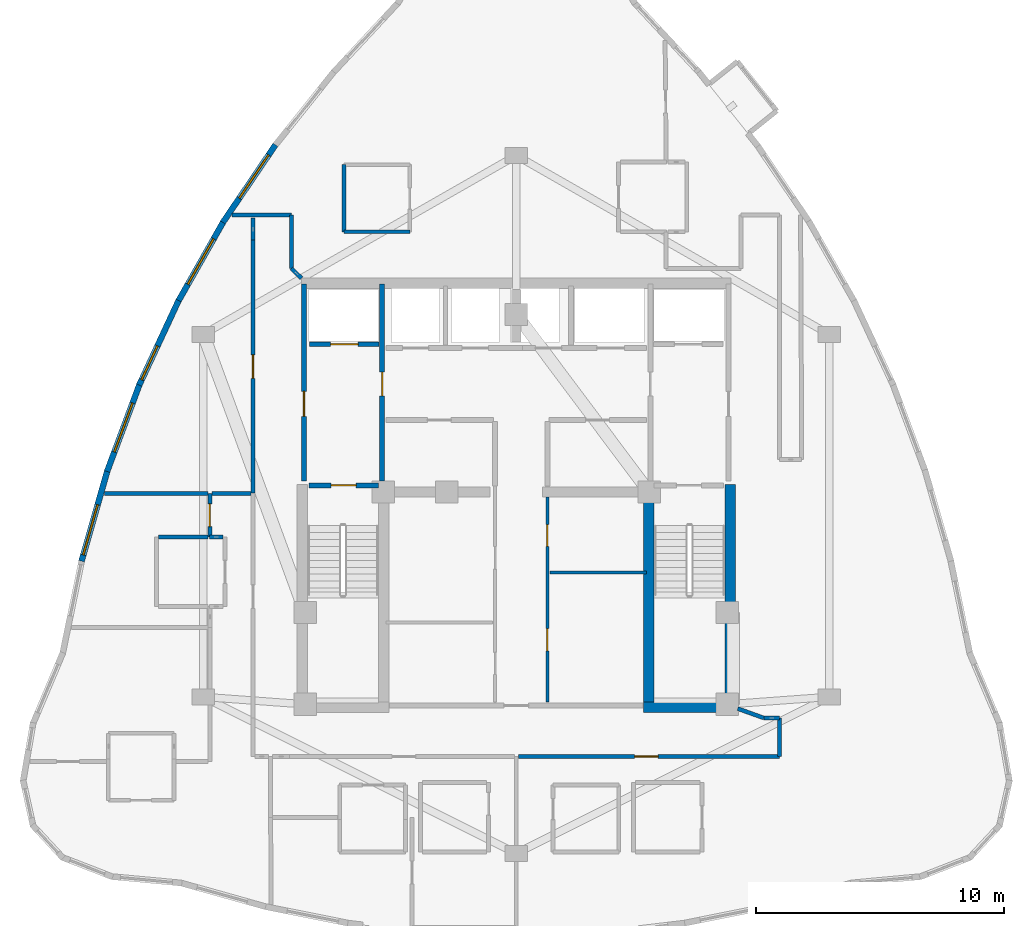
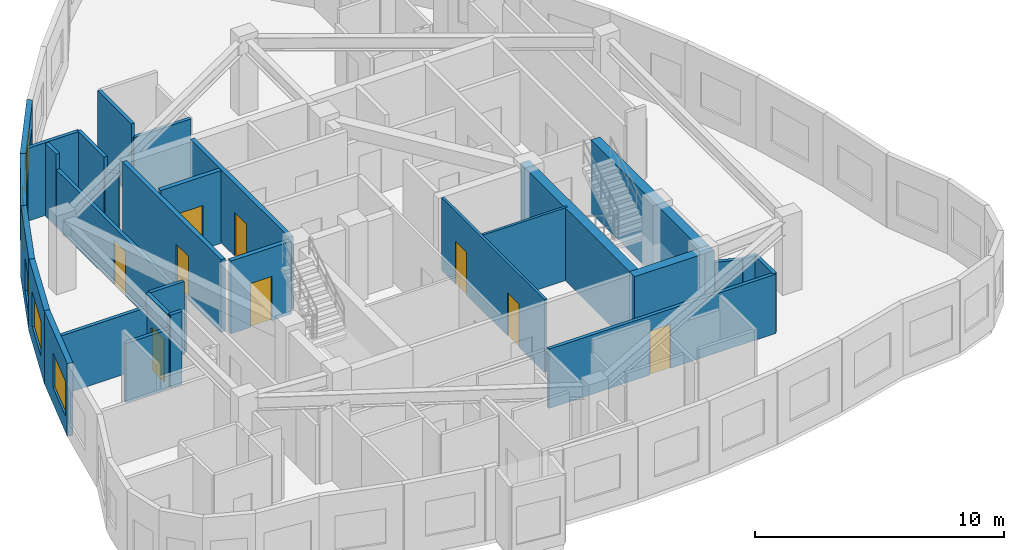
# One storey, part 9 of 13: 30 walls, 9 doors, 5 windows, 14 openings.
"""IFC4 building model written with IfcOpenShell, lengths in metres."""

from ifc_helpers import new_model, si_unit, direction, frame, frame_2d, origin, place, context, subcontext, project, spatial, rectangle, extrude, material, layer, layer_set, type_object, element, fill, save


model = new_model("IFC4")

# Units and contexts
model_context = context("Model", 3, precision=1e-05, world=origin(), true_north=direction((0.0, 1.0)))
body_context = subcontext(model_context, "Body", "Model", "MODEL_VIEW")
ifc_project = project(units=[si_unit("LENGTHUNIT", "METRE"), si_unit("AREAUNIT", "SQUARE_METRE"), si_unit("VOLUMEUNIT", "CUBIC_METRE"), si_unit("PLANEANGLEUNIT", "RADIAN"), si_unit("MASSUNIT", "GRAM", prefix="KILO")], contexts=[model_context])

# Site, building, storey
site_placement = place(None, origin())
site = spatial("IfcSite", under=ifc_project, at=site_placement, CompositionType="ELEMENT")
building_placement = place(site_placement, origin())
building = spatial("IfcBuilding", under=site, at=building_placement, Name="Miruveldt Soraemaru", CompositionType="ELEMENT")
storey_placement = place(building_placement, frame((0.0, 0.0, 259.699951171875)))
storey = spatial("IfcBuildingStorey", under=building, at=storey_placement, Name="L71", CompositionType="ELEMENT", Elevation=259.699951171875)

# Walls
ifc_material_1 = material(Name="Concrete C50/60 (50 MPa)", Category="concrete")
ifc_layer_1 = layer(ifc_material_1, 0.419921875, Name="Concrete C50/60 (50 MPa)", Category="concrete")
ifc_layer_set_1 = layer_set([ifc_layer_1], Name="Concrete C50/60 (50 MPa)")
wall_type_1 = type_object("IfcWallType", Name="WALL-CW-420", PredefinedType="SHEAR", material=ifc_layer_set_1)
wall_1_placement = place(storey_placement, frame((49.1298828125, 35.389892578125, 0.0), z_axis=(0.0, 0.0, 1.0), x_axis=(1.0, 0.0, 0.0)))
element("IfcWall", 1, at=wall_1_placement, inside=storey, type_object=wall_type_1, Name="L71 Central Core Shear Wall S2", PredefinedType="SHEAR", context=body_context, shape_type="SweptSolid", body=[
    extrude(rectangle(XDim=3.690185546875, YDim=0.419921875, at=frame_2d((1.84521484375, 0.0))), origin(), (0.0, 0.0, 1.0), 3.56494140625),
])
wall_2_placement = place(storey_placement, frame((52.610107421875, 35.179931640625, 0.0), z_axis=(0.0, 0.0, 1.0), x_axis=(0.0, 1.0, 0.0)))
element("IfcWall", 2, at=wall_2_placement, inside=storey, type_object=wall_type_1, Name="L71 Central Core Shear Wall E1", PredefinedType="SHEAR", context=body_context, shape_type="SweptSolid", body=[
    extrude(rectangle(XDim=9.170166015625, YDim=0.419921875, at=frame_2d((4.5849609375, 0.0))), origin(), (0.0, 0.0, 1.0), 3.56494140625),
])
wall_3_placement = place(storey_placement, frame((49.340087890625, 35.39990234375, 0.0), z_axis=(0.0, 0.0, 1.0), x_axis=(0.0, 1.0, 0.0)))
element("IfcWall", 3, at=wall_3_placement, inside=storey, type_object=wall_type_1, Name="L71 Central Core Shear Wall SE-INT", PredefinedType="SHEAR", context=body_context, shape_type="SweptSolid", body=[
    extrude(rectangle(XDim=8.9501953125, YDim=0.419921875, at=frame_2d((4.47509765625, 0.0))), origin(), (0.0, 0.0, 1.0), 3.56494140625),
])

# Wall, opening, window
ifc_material_2 = material(Name="Precast concrete C45/55 (45 MPa)", Category="concrete")
ifc_layer_2 = layer(ifc_material_2, 0.239990234375, Name="Precast concrete C45/55 (45 MPa)", Category="concrete")
ifc_layer_set_2 = layer_set([ifc_layer_2], Name="Precast concrete C45/55 (45 MPa)")
wall_type_2 = type_object("IfcWallType", Name="WALL-EXT-PC240", PredefinedType="SOLIDWALL", material=ifc_layer_set_2)
wall_4_placement = place(storey_placement, frame((34.304931640625, 58.03369140625, 0.0), z_axis=(0.0, 0.0, 1.0), x_axis=(-0.560812433684, -0.827942881016, 0.0)))
wall_4 = element("IfcWall", 4, at=wall_4_placement, inside=storey, type_object=wall_type_2, Name="L71 Precast Concrete Facade Wall 9", PredefinedType="SOLIDWALL", context=body_context, shape_type="SweptSolid", body=[
    extrude(rectangle(XDim=3.779052734375, YDim=0.239990234375, at=frame_2d((1.8896484375, 0.0))), origin(), (0.0, 0.0, 1.0), 3.56494140625),
])
opening_1_placement = place(wall_4_placement, frame((0.49609375, 0.0, 0.800048828125)))
opening_1 = element("IfcOpeningElement", 5, at=opening_1_placement, cuts=wall_4, Name="Opening WN-1", PredefinedType="OPENING", context=body_context, shape_type="SweptSolid", body=[
    extrude(rectangle(XDim=2.10009765625, YDim=1.699951171875, at=frame_2d((1.050048828125, 0.85009765625))), frame((0.0, 0.1298828125, 0.0), z_axis=(0.0, -1.0, 0.0), x_axis=(1.0, 0.0, 0.0)), (0.0, 0.0, 1.0), 0.260009765625),
])
ifc_material_3 = material(Name="Triple low-e insulated glazing", Category="glass")
window_type_1 = type_object("IfcWindowType", Name="WIN-PUNCH-2100x1700", PartitioningType="SINGLE_PANEL", PredefinedType="WINDOW", material=ifc_material_3)
window_1_placement = place(opening_1_placement, origin())
window_1 = element("IfcWindow", 6, at=window_1_placement, inside=storey, type_object=window_type_1, Name="L71 Punched Triple-Glazed Window 09.1", OverallHeight=1.699951171875, OverallWidth=2.10009765625, PartitioningType="SINGLE_PANEL", PredefinedType="WINDOW", context=body_context, shape_type="SweptSolid", body=[
    extrude(rectangle(XDim=2.10009765625, YDim=1.699951171875, at=frame_2d((1.050048828125, 0.85009765625))), frame((0.0, 0.030029296875, 0.0), z_axis=(0.0, -1.0, 0.0), x_axis=(1.0, 0.0, 0.0)), (0.0, 0.0, 1.0), 0.06005859375),
])
fill(opening_1, window_1)

wall_5_placement = place(storey_placement, frame((32.222412109375, 54.964111328125, 0.0), z_axis=(0.0, 0.0, 1.0), x_axis=(-0.493356990669, -0.869826925174, 0.0)))
wall_5 = element("IfcWall", 7, at=wall_5_placement, inside=storey, type_object=wall_type_2, Name="L71 Precast Concrete Facade Wall 10", PredefinedType="SOLIDWALL", context=body_context, shape_type="SweptSolid", body=[
    extrude(rectangle(XDim=3.75537109375, YDim=0.239990234375, at=frame_2d((1.877685546875, 0.0))), origin(), (0.0, 0.0, 1.0), 3.56494140625),
])
opening_2_placement = place(wall_5_placement, frame((0.827880859375, 0.0, 0.800048828125)))
opening_2 = element("IfcOpeningElement", 8, at=opening_2_placement, cuts=wall_5, Name="Opening WN-1", PredefinedType="OPENING", context=body_context, shape_type="SweptSolid", body=[
    extrude(rectangle(XDim=2.10009765625, YDim=1.699951171875, at=frame_2d((1.050048828125, 0.85009765625))), frame((0.0, 0.1298828125, 0.0), z_axis=(0.0, -1.0, 0.0), x_axis=(1.0, 0.0, 0.0)), (0.0, 0.0, 1.0), 0.260009765625),
])
window_2_placement = place(opening_2_placement, origin())
window_2 = element("IfcWindow", 9, at=window_2_placement, inside=storey, type_object=window_type_1, Name="L71 Punched Triple-Glazed Window 10.1", OverallHeight=1.699951171875, OverallWidth=2.10009765625, PartitioningType="SINGLE_PANEL", PredefinedType="WINDOW", context=body_context, shape_type="SweptSolid", body=[
    extrude(rectangle(XDim=2.10009765625, YDim=1.699951171875, at=frame_2d((1.050048828125, 0.85009765625))), frame((0.0, 0.030029296875, 0.0), z_axis=(0.0, -1.0, 0.0), x_axis=(1.0, 0.0, 0.0)), (0.0, 0.0, 1.0), 0.06005859375),
])
fill(opening_2, window_2)

wall_6_placement = place(storey_placement, frame((30.401611328125, 51.759521484375, 0.0), z_axis=(0.0, 0.0, 1.0), x_axis=(-0.422287495825, -0.906461952246, 0.0)))
wall_6 = element("IfcWall", 10, at=wall_6_placement, inside=storey, type_object=wall_type_2, Name="L71 Precast Concrete Facade Wall 11", PredefinedType="SOLIDWALL", context=body_context, shape_type="SweptSolid", body=[
    extrude(rectangle(XDim=3.755615234375, YDim=0.239990234375, at=frame_2d((1.8779296875, 0.0))), origin(), (0.0, 0.0, 1.0), 3.56494140625),
])
opening_3_placement = place(wall_6_placement, frame((2.01806640625, 0.0, 0.800048828125)))
opening_3 = element("IfcOpeningElement", 11, at=opening_3_placement, cuts=wall_6, Name="Opening WN-3", PredefinedType="OPENING", context=body_context, shape_type="SweptSolid", body=[
    extrude(rectangle(XDim=1.5, YDim=1.60009765625, at=frame_2d((0.75, 0.800048828125))), frame((0.0, 0.1298828125, 0.0), z_axis=(0.0, -1.0, 0.0), x_axis=(1.0, 0.0, 0.0)), (0.0, 0.0, 1.0), 0.260009765625),
])
window_type_2 = type_object("IfcWindowType", Name="WIN-PUNCH-1500x1600", PartitioningType="SINGLE_PANEL", PredefinedType="WINDOW", material=ifc_material_3)
window_3_placement = place(opening_3_placement, origin())
window_3 = element("IfcWindow", 12, at=window_3_placement, inside=storey, type_object=window_type_2, Name="L71 Punched Triple-Glazed Window 11.1", OverallHeight=1.60009765625, OverallWidth=1.5, PartitioningType="SINGLE_PANEL", PredefinedType="WINDOW", context=body_context, shape_type="SweptSolid", body=[
    extrude(rectangle(XDim=1.5, YDim=1.60009765625, at=frame_2d((0.75, 0.800048828125))), frame((0.0, 0.030029296875, 0.0), z_axis=(0.0, -1.0, 0.0), x_axis=(1.0, 0.0, 0.0)), (0.0, 0.0, 1.0), 0.06005859375),
])
fill(opening_3, window_3)

wall_7_placement = place(storey_placement, frame((28.842529296875, 48.419921875, 0.0), z_axis=(0.0, 0.0, 1.0), x_axis=(-0.348984438281, -0.937128519381, 0.0)))
wall_7 = element("IfcWall", 13, at=wall_7_placement, inside=storey, type_object=wall_type_2, Name="L71 Precast Concrete Facade Wall 12", PredefinedType="SOLIDWALL", context=body_context, shape_type="SweptSolid", body=[
    extrude(rectangle(XDim=3.779052734375, YDim=0.239990234375, at=frame_2d((1.8896484375, 0.0))), origin(), (0.0, 0.0, 1.0), 3.56494140625),
])
opening_4_placement = place(wall_7_placement, frame((0.840087890625, 0.0, 0.800048828125)))
opening_4 = element("IfcOpeningElement", 14, at=opening_4_placement, cuts=wall_7, Name="Opening WN-1", PredefinedType="OPENING", context=body_context, shape_type="SweptSolid", body=[
    extrude(rectangle(XDim=2.10009765625, YDim=1.699951171875, at=frame_2d((1.050048828125, 0.85009765625))), frame((0.0, 0.1298828125, 0.0), z_axis=(0.0, -1.0, 0.0), x_axis=(1.0, 0.0, 0.0)), (0.0, 0.0, 1.0), 0.260009765625),
])
window_4_placement = place(opening_4_placement, origin())
window_4 = element("IfcWindow", 15, at=window_4_placement, inside=storey, type_object=window_type_1, Name="L71 Punched Triple-Glazed Window 12.1", OverallHeight=1.699951171875, OverallWidth=2.10009765625, PartitioningType="SINGLE_PANEL", PredefinedType="WINDOW", context=body_context, shape_type="SweptSolid", body=[
    extrude(rectangle(XDim=2.10009765625, YDim=1.699951171875, at=frame_2d((1.050048828125, 0.85009765625))), frame((0.0, 0.030029296875, 0.0), z_axis=(0.0, -1.0, 0.0), x_axis=(1.0, 0.0, 0.0)), (0.0, 0.0, 1.0), 0.06005859375),
])
fill(opening_4, window_4)

wall_8_placement = place(storey_placement, frame((27.54541015625, 44.94482421875, 0.0), z_axis=(0.0, 0.0, 1.0), x_axis=(-0.274982401426, -0.961449259663, 0.0)))
wall_8 = element("IfcWall", 16, at=wall_8_placement, inside=storey, type_object=wall_type_2, Name="L71 Precast Concrete Facade Wall 13", PredefinedType="SOLIDWALL", context=body_context, shape_type="SweptSolid", body=[
    extrude(rectangle(XDim=3.82568359375, YDim=0.239990234375, at=frame_2d((1.912841796875, 0.0))), origin(), (0.0, 0.0, 1.0), 3.56494140625),
])
opening_5_placement = place(wall_8_placement, frame((1.462890625, 0.0, 0.800048828125)))
opening_5 = element("IfcOpeningElement", 17, at=opening_5_placement, cuts=wall_8, Name="Opening WN-1", PredefinedType="OPENING", context=body_context, shape_type="SweptSolid", body=[
    extrude(rectangle(XDim=2.10009765625, YDim=1.699951171875, at=frame_2d((1.050048828125, 0.85009765625))), frame((0.0, 0.1298828125, 0.0), z_axis=(0.0, -1.0, 0.0), x_axis=(1.0, 0.0, 0.0)), (0.0, 0.0, 1.0), 0.260009765625),
])
window_5_placement = place(opening_5_placement, origin())
window_5 = element("IfcWindow", 18, at=window_5_placement, inside=storey, type_object=window_type_1, Name="L71 Punched Triple-Glazed Window 13.1", OverallHeight=1.699951171875, OverallWidth=2.10009765625, PartitioningType="SINGLE_PANEL", PredefinedType="WINDOW", context=body_context, shape_type="SweptSolid", body=[
    extrude(rectangle(XDim=2.10009765625, YDim=1.699951171875, at=frame_2d((1.050048828125, 0.85009765625))), frame((0.0, 0.030029296875, 0.0), z_axis=(0.0, -1.0, 0.0), x_axis=(1.0, 0.0, 0.0)), (0.0, 0.0, 1.0), 0.06005859375),
])
fill(opening_5, window_5)

# Wall, openings, doors
ifc_material_4 = material(Name="Gypsum plasterboard lining", Category="gypsum")
ifc_layer_3 = layer(ifc_material_4, 0.1201171875, Name="Gypsum plasterboard lining", Category="gypsum")
ifc_layer_set_3 = layer_set([ifc_layer_3], Name="Gypsum plasterboard lining")
wall_type_3 = type_object("IfcWallType", Name="WALL-INT-P120", PredefinedType="PARTITIONING", material=ifc_layer_set_3)
wall_9_placement = place(storey_placement, frame((45.25, 35.60009765625, 0.0), z_axis=(0.0, 0.0, 1.0), x_axis=(0.0, 1.0, 0.0)))
wall_9 = element("IfcWall", 19, at=wall_9_placement, inside=storey, type_object=wall_type_3, Name="L71 Core Compartment Wall SP-EL", PredefinedType="PARTITIONING", context=body_context, shape_type="SweptSolid", body=[
    extrude(rectangle(XDim=8.25, YDim=0.1201171875, at=frame_2d((4.125, 0.0))), origin(), (0.0, 0.0, 1.0), 3.56494140625),
])
opening_6_placement = place(wall_9_placement, frame((2.050048828125, 0.0, 0.0)))
opening_6 = element("IfcOpeningElement", 20, at=opening_6_placement, cuts=wall_9, Name="Opening D3", PredefinedType="OPENING", context=body_context, shape_type="SweptSolid", body=[
    extrude(rectangle(XDim=0.89990234375, YDim=2.10009765625, at=frame_2d((0.449951171875, 1.050048828125))), frame((0.0, 0.070068359375, 0.0), z_axis=(0.0, -1.0, 0.0), x_axis=(1.0, 0.0, 0.0)), (0.0, 0.0, 1.0), 0.14013671875),
])
opening_7_placement = place(wall_9_placement, frame((6.260009765625, 0.0, 0.0)))
opening_7 = element("IfcOpeningElement", 21, at=opening_7_placement, cuts=wall_9, Name="Opening D4", PredefinedType="OPENING", context=body_context, shape_type="SweptSolid", body=[
    extrude(rectangle(XDim=0.8798828125, YDim=2.10009765625, at=frame_2d((0.43994140625, 1.050048828125))), frame((0.0, 0.070068359375, 0.0), z_axis=(0.0, -1.0, 0.0), x_axis=(1.0, 0.0, 0.0)), (0.0, 0.0, 1.0), 0.14013671875),
])
ifc_material_5 = material(Name="Anodised aluminium EN AW-6063 T6", Category="aluminium")
door_type_1 = type_object("IfcDoorType", Name="DOOR-INT-880", OperationType="NOTDEFINED", PredefinedType="DOOR", material=ifc_material_5)
door_1_placement = place(opening_7_placement, origin())
door_1 = element("IfcDoor", 22, at=door_1_placement, inside=storey, type_object=door_type_1, Name="L71 Fire Door", OperationType="SINGLE_SWING_LEFT", OverallHeight=2.10009765625, OverallWidth=0.8798828125, PredefinedType="DOOR", context=body_context, shape_type="SweptSolid", body=[
    extrude(rectangle(XDim=0.8798828125, YDim=2.10009765625, at=frame_2d((0.43994140625, 1.050048828125))), frame((0.0, 0.02490234375, 0.0), z_axis=(0.0, -1.0, 0.0), x_axis=(1.0, 0.0, 0.0)), (0.0, 0.0, 1.0), 0.050048828125),
])
fill(opening_7, door_1)
door_type_2 = type_object("IfcDoorType", Name="DOOR-INT-900", OperationType="NOTDEFINED", PredefinedType="DOOR", material=ifc_material_5)
door_2_placement = place(opening_6_placement, origin())
door_2 = element("IfcDoor", 23, at=door_2_placement, inside=storey, type_object=door_type_2, Name="L71 Fire Door", OperationType="SINGLE_SWING_LEFT", OverallHeight=2.10009765625, OverallWidth=0.89990234375, PredefinedType="DOOR", context=body_context, shape_type="SweptSolid", body=[
    extrude(rectangle(XDim=0.89990234375, YDim=2.10009765625, at=frame_2d((0.449951171875, 1.050048828125))), frame((0.0, 0.02490234375, 0.0), z_axis=(0.0, -1.0, 0.0), x_axis=(1.0, 0.0, 0.0)), (0.0, 0.0, 1.0), 0.050048828125),
])
fill(opening_6, door_2)

# Walls
wall_10_placement = place(storey_placement, frame((45.35009765625, 40.800048828125, 0.0), z_axis=(0.0, 0.0, 1.0), x_axis=(1.0, 0.0, 0.0)))
element("IfcWall", 24, at=wall_10_placement, inside=storey, type_object=wall_type_3, Name="L71 Core Compartment Wall RL-E2H", PredefinedType="PARTITIONING", context=body_context, shape_type="SweptSolid", body=[
    extrude(rectangle(XDim=3.89990234375, YDim=0.1201171875, at=frame_2d((1.949951171875, 0.0))), origin(), (0.0, 0.0, 1.0), 3.56494140625),
])
ifc_layer_4 = layer(ifc_material_4, 0.14990234375, Name="Gypsum plasterboard lining", Category="gypsum")
ifc_layer_set_4 = layer_set([ifc_layer_4], Name="Gypsum plasterboard lining")
wall_type_4 = type_object("IfcWallType", Name="WALL-INT-PLUMB", PredefinedType="PLUMBINGWALL", material=ifc_layer_set_4)
wall_11_placement = place(storey_placement, frame((37.06591796875, 57.22998046875, 0.0), z_axis=(0.0, 0.0, 1.0), x_axis=(0.0, -1.0, 0.0)))
element("IfcWall", 25, at=wall_11_placement, inside=storey, type_object=wall_type_4, Name="L71 Partition Wall 15", PredefinedType="PLUMBINGWALL", context=body_context, shape_type="SweptSolid", body=[
    extrude(rectangle(XDim=2.699951171875, YDim=0.14990234375, at=frame_2d((1.35009765625, 0.0))), origin(), (0.0, 0.0, 1.0), 3.56494140625),
])
wall_12_placement = place(storey_placement, frame((37.06591796875, 54.530029296875, 0.0), z_axis=(0.0, 0.0, 1.0), x_axis=(1.0, 0.0, 0.0)))
element("IfcWall", 26, at=wall_12_placement, inside=storey, type_object=wall_type_4, Name="L71 Partition Wall 16", PredefinedType="PLUMBINGWALL", context=body_context, shape_type="SweptSolid", body=[
    extrude(rectangle(XDim=2.650146484375, YDim=0.14990234375, at=frame_2d((1.3251953125, 0.0))), origin(), (0.0, 0.0, 1.0), 2.903076171875),
])

# Wall, opening, door
ifc_material_6 = material(Name="Concrete C40/50 (40 MPa)", Category="concrete")
ifc_layer_5 = layer(ifc_material_6, 0.159912109375, Name="Concrete C40/50 (40 MPa)", Category="concrete")
ifc_layer_set_5 = layer_set([ifc_layer_5], Name="Concrete C40/50 (40 MPa)")
wall_type_5 = type_object("IfcWallType", Name="WALL-INT-RC160", PredefinedType="SOLIDWALL", material=ifc_layer_set_5)
wall_13_placement = place(storey_placement, frame((44.0869140625, 33.39990234375, 0.0), z_axis=(0.0, 0.0, 1.0), x_axis=(1.0, 0.0, 0.0)))
wall_13 = element("IfcWall", 27, at=wall_13_placement, inside=storey, type_object=wall_type_5, Name="L71 Partition Wall 10", PredefinedType="SOLIDWALL", context=body_context, shape_type="SweptSolid", body=[
    extrude(rectangle(XDim=10.51318359375, YDim=0.159912109375, at=frame_2d((5.256591796875, 0.0))), origin(), (0.0, 0.0, 1.0), 2.903076171875),
])
opening_8_placement = place(wall_13_placement, frame((4.677978515625, 0.0, 0.0)))
opening_8 = element("IfcOpeningElement", 28, at=opening_8_placement, cuts=wall_13, Name="Opening FD2", PredefinedType="OPENING", context=body_context, shape_type="SweptSolid", body=[
    extrude(rectangle(XDim=0.949951171875, YDim=2.14990234375, at=frame_2d((0.47509765625, 1.074951171875))), frame((0.0, 0.08984375, 0.0), z_axis=(0.0, -1.0, 0.0), x_axis=(1.0, 0.0, 0.0)), (0.0, 0.0, 1.0), 0.179931640625),
])
door_type_3 = type_object("IfcDoorType", Name="DOOR-FD2-950", OperationType="NOTDEFINED", PredefinedType="DOOR", material=ifc_material_5)
door_3_placement = place(opening_8_placement, origin())
door_3 = element("IfcDoor", 29, at=door_3_placement, inside=storey, type_object=door_type_3, Name="L71 Unit 7104 Entrance Fire Door", OperationType="SINGLE_SWING_RIGHT", OverallHeight=2.14990234375, OverallWidth=0.949951171875, PredefinedType="DOOR", context=body_context, shape_type="SweptSolid", body=[
    extrude(rectangle(XDim=0.949951171875, YDim=2.14990234375, at=frame_2d((0.47509765625, 1.074951171875))), frame((0.0, 0.02490234375, 0.0), z_axis=(0.0, -1.0, 0.0), x_axis=(1.0, 0.0, 0.0)), (0.0, 0.0, 1.0), 0.050048828125),
])
fill(opening_8, door_3)

wall_14_placement = place(storey_placement, frame((33.39990234375, 54.199951171875, 0.0), z_axis=(0.0, 0.0, 1.0), x_axis=(0.0, -1.0, 0.0)))
wall_14 = element("IfcWall", 30, at=wall_14_placement, inside=storey, type_object=wall_type_5, Name="L71 Partition Wall 4", PredefinedType="SOLIDWALL", context=body_context, shape_type="SweptSolid", body=[
    extrude(rectangle(XDim=10.195068359375, YDim=0.159912109375, at=frame_2d((5.09765625, 0.0))), origin(), (0.0, 0.0, 1.0), 2.802978515625),
])
opening_9_placement = place(wall_14_placement, frame((4.623046875, 0.0, 0.0)))
opening_9 = element("IfcOpeningElement", 31, at=opening_9_placement, cuts=wall_14, Name="Opening FD2", PredefinedType="OPENING", context=body_context, shape_type="SweptSolid", body=[
    extrude(rectangle(XDim=0.949951171875, YDim=2.14990234375, at=frame_2d((0.47509765625, 1.074951171875))), frame((0.0, 0.08984375, 0.0), z_axis=(0.0, -1.0, 0.0), x_axis=(1.0, 0.0, 0.0)), (0.0, 0.0, 1.0), 0.179931640625),
])
door_4_placement = place(opening_9_placement, origin())
door_4 = element("IfcDoor", 32, at=door_4_placement, inside=storey, type_object=door_type_3, Name="L71 Unit 7101 Entrance Fire Door", OperationType="SINGLE_SWING_LEFT", OverallHeight=2.14990234375, OverallWidth=0.949951171875, PredefinedType="DOOR", context=body_context, shape_type="SweptSolid", body=[
    extrude(rectangle(XDim=0.949951171875, YDim=2.14990234375, at=frame_2d((0.47509765625, 1.074951171875))), frame((0.0, 0.02490234375, 0.0), z_axis=(0.0, -1.0, 0.0), x_axis=(1.0, 0.0, 0.0)), (0.0, 0.0, 1.0), 0.050048828125),
])
fill(opening_9, door_4)

wall_15_placement = place(storey_placement, frame((31.662109375, 44.0, 0.0), z_axis=(0.0, 0.0, 1.0), x_axis=(0.0, -1.0, 0.0)))
wall_15 = element("IfcWall", 33, at=wall_15_placement, inside=storey, type_object=wall_type_5, Name="L71 Partition Wall 36", PredefinedType="SOLIDWALL", context=body_context, shape_type="SweptSolid", body=[
    extrude(rectangle(XDim=1.764892578125, YDim=0.159912109375, at=frame_2d((0.88232421875, 0.0))), origin(), (0.0, 0.0, 1.0), 3.56494140625),
])
opening_10_placement = place(wall_15_placement, frame((0.423095703125, 0.0, 0.0)))
opening_10 = element("IfcOpeningElement", 34, at=opening_10_placement, cuts=wall_15, Name="Opening D3A", PredefinedType="OPENING", context=body_context, shape_type="SweptSolid", body=[
    extrude(rectangle(XDim=0.919921875, YDim=2.10009765625, at=frame_2d((0.4599609375, 1.050048828125))), frame((0.0, 0.08984375, 0.0), z_axis=(0.0, -1.0, 0.0), x_axis=(1.0, 0.0, 0.0)), (0.0, 0.0, 1.0), 0.179931640625),
])
door_type_4 = type_object("IfcDoorType", Name="DOOR-INT-920", OperationType="NOTDEFINED", PredefinedType="DOOR", material=ifc_material_5)
door_5_placement = place(opening_10_placement, origin())
door_5 = element("IfcDoor", 35, at=door_5_placement, inside=storey, type_object=door_type_4, Name="L71 Unit 7102 EXT Door", OperationType="SINGLE_SWING_LEFT", OverallHeight=2.10009765625, OverallWidth=0.919921875, PredefinedType="DOOR", context=body_context, shape_type="SweptSolid", body=[
    extrude(rectangle(XDim=0.919921875, YDim=2.10009765625, at=frame_2d((0.4599609375, 1.050048828125))), frame((0.0, 0.02490234375, 0.0), z_axis=(0.0, -1.0, 0.0), x_axis=(1.0, 0.0, 0.0)), (0.0, 0.0, 1.0), 0.050048828125),
])
fill(opening_10, door_5)

# Walls
wall_16_placement = place(storey_placement, frame((27.410888671875, 43.985107421875, 0.0), z_axis=(0.0, 0.0, 1.0), x_axis=(0.999993626242, 0.00357036062, 0.0)))
element("IfcWall", 36, at=wall_16_placement, inside=storey, type_object=wall_type_5, Name="L71 Partition Wall 23", PredefinedType="SOLIDWALL", context=body_context, shape_type="SweptSolid", body=[
    extrude(rectangle(XDim=4.171142578125, YDim=0.159912109375, at=frame_2d((2.08544921875, 0.0))), origin(), (0.0, 0.0, 1.0), 2.903076171875),
])
wall_17_placement = place(storey_placement, frame((34.949951171875, 55.199951171875, 0.0), z_axis=(0.0, 0.0, 1.0), x_axis=(-1.0, 0.0, 0.0)))
element("IfcWall", 37, at=wall_17_placement, inside=storey, type_object=wall_type_5, Name="L71 Partition Wall 2", PredefinedType="SOLIDWALL", context=body_context, shape_type="SweptSolid", body=[
    extrude(rectangle(XDim=2.40087890625, YDim=0.159912109375, at=frame_2d((1.200439453125, 0.0))), origin(), (0.0, 0.0, 1.0), 3.56494140625),
])
wall_18_placement = place(storey_placement, frame((34.949951171875, 53.055908203125, 0.0), z_axis=(0.0, 0.0, 1.0), x_axis=(0.0, 1.0, 0.0)))
element("IfcWall", 38, at=wall_18_placement, inside=storey, type_object=wall_type_5, Name="L71 Partition Wall 1", PredefinedType="SOLIDWALL", context=body_context, shape_type="SweptSolid", body=[
    extrude(rectangle(XDim=2.14404296875, YDim=0.159912109375, at=frame_2d((1.072021484375, 0.0))), origin(), (0.0, 0.0, 1.0), 3.56494140625),
])
wall_19_placement = place(storey_placement, frame((31.58203125, 42.235107421875, 0.0), z_axis=(0.0, 0.0, 1.0), x_axis=(-1.0, 0.0, 0.0)))
element("IfcWall", 39, at=wall_19_placement, inside=storey, type_object=wall_type_5, Name="L71 Partition Wall 43", PredefinedType="SOLIDWALL", context=body_context, shape_type="SweptSolid", body=[
    extrude(rectangle(XDim=1.97900390625, YDim=0.159912109375, at=frame_2d((0.989501953125, 0.0))), origin(), (0.0, 0.0, 1.0), 2.903076171875),
])
wall_20_placement = place(storey_placement, frame((31.741943359375, 44.0, 0.0), z_axis=(0.0, 0.0, 1.0), x_axis=(1.0, 0.0, 0.0)))
element("IfcWall", 40, at=wall_20_placement, inside=storey, type_object=wall_type_5, Name="L71 Partition Wall 22", PredefinedType="SOLIDWALL", context=body_context, shape_type="SweptSolid", body=[
    extrude(rectangle(XDim=1.578125, YDim=0.159912109375, at=frame_2d((0.7890625, 0.0))), origin(), (0.0, 0.0, 1.0), 3.56494140625),
])
wall_21_placement = place(storey_placement, frame((54.60009765625, 33.39990234375, 0.0), z_axis=(0.0, 0.0, 1.0), x_axis=(0.0, 1.0, 0.0)))
element("IfcWall", 41, at=wall_21_placement, inside=storey, type_object=wall_type_5, Name="L71 Partition Wall 11", PredefinedType="SOLIDWALL", context=body_context, shape_type="SweptSolid", body=[
    extrude(rectangle(XDim=1.550048828125, YDim=0.159912109375, at=frame_2d((0.77490234375, 0.0))), origin(), (0.0, 0.0, 1.0), 2.903076171875),
])
wall_22_placement = place(storey_placement, frame((53.97509765625, 34.949951171875, 0.0), z_axis=(0.0, 0.0, 1.0), x_axis=(-0.941555164115, 0.336858832344, 0.0)))
element("IfcWall", 42, at=wall_22_placement, inside=storey, type_object=wall_type_5, Name="L71 Partition Closure Return 3", PredefinedType="SOLIDWALL", context=body_context, shape_type="SweptSolid", body=[
    extrude(rectangle(XDim=1.124755859375, YDim=0.159912109375, at=frame_2d((0.5625, 0.0))), origin(), (0.0, 0.0, 1.0), 2.903076171875),
])
wall_23_placement = place(storey_placement, frame((33.39990234375, 55.076904296875, 0.0), z_axis=(0.0, 0.0, 1.0), x_axis=(0.0, -1.0, 0.0)))
element("IfcWall", 43, at=wall_23_placement, inside=storey, type_object=wall_type_5, Name="L71 Partition Wall 3", PredefinedType="SOLIDWALL", context=body_context, shape_type="SweptSolid", body=[
    extrude(rectangle(XDim=0.8740234375, YDim=0.159912109375, at=frame_2d((0.43701171875, 0.0))), origin(), (0.0, 0.0, 1.0), 3.56494140625),
])
wall_24_placement = place(storey_placement, frame((54.60009765625, 34.949951171875, 0.0), z_axis=(0.0, 0.0, 1.0), x_axis=(-1.0, 0.0, 0.0)))
element("IfcWall", 44, at=wall_24_placement, inside=storey, type_object=wall_type_5, Name="L71 Partition Wall 12", PredefinedType="SOLIDWALL", context=body_context, shape_type="SweptSolid", body=[
    extrude(rectangle(XDim=0.625, YDim=0.159912109375, at=frame_2d((0.3125, 0.0))), origin(), (0.0, 0.0, 1.0), 2.903076171875),
])
wall_25_placement = place(storey_placement, frame((34.949951171875, 53.055908203125, 0.0), z_axis=(0.0, 0.0, 1.0), x_axis=(0.710783358793, -0.703410987164, 0.0)))
element("IfcWall", 45, at=wall_25_placement, inside=storey, type_object=wall_type_5, Name="L71 Partition Closure Return 2", PredefinedType="SOLIDWALL", context=body_context, shape_type="SweptSolid", body=[
    extrude(rectangle(XDim=0.56298828125, YDim=0.159912109375, at=frame_2d((0.281494140625, 0.0))), origin(), (0.0, 0.0, 1.0), 2.903076171875),
])
wall_26_placement = place(storey_placement, frame((32.193115234375, 42.235107421875, 0.0), z_axis=(0.0, 0.0, 1.0), x_axis=(-1.0, 0.0, 0.0)))
element("IfcWall", 46, at=wall_26_placement, inside=storey, type_object=wall_type_5, Name="L71 Partition Wall 31", PredefinedType="SOLIDWALL", context=body_context, shape_type="SweptSolid", body=[
    extrude(rectangle(XDim=0.541015625, YDim=0.159912109375, at=frame_2d((0.2705078125, 0.0))), origin(), (0.0, 0.0, 1.0), 3.56494140625),
])

# Wall, opening, door
ifc_layer_6 = layer(ifc_material_6, 0.199951171875, Name="Concrete C40/50 (40 MPa)", Category="concrete")
ifc_layer_set_6 = layer_set([ifc_layer_6], Name="Concrete C40/50 (40 MPa)")
wall_type_6 = type_object("IfcWallType", Name="WALL-INT-RC200", PredefinedType="SOLIDWALL", material=ifc_layer_set_6)
wall_27_placement = place(storey_placement, frame((35.449951171875, 44.5, 0.0), z_axis=(0.0, 0.0, 1.0), x_axis=(0.0, 1.0, 0.0)))
wall_27 = element("IfcWall", 47, at=wall_27_placement, inside=storey, type_object=wall_type_6, Name="L71 Core Compartment Wall FFW-OUT", PredefinedType="SOLIDWALL", context=body_context, shape_type="SweptSolid", body=[
    extrude(rectangle(XDim=7.919921875, YDim=0.199951171875, at=frame_2d((3.9599609375, 0.0))), origin(), (0.0, 0.0, 1.0), 3.56494140625),
])
opening_11_placement = place(wall_27_placement, frame((2.60009765625, 0.0, 0.0)))
opening_11 = element("IfcOpeningElement", 48, at=opening_11_placement, cuts=wall_27, Name="Opening FD1", PredefinedType="OPENING", context=body_context, shape_type="SweptSolid", body=[
    extrude(rectangle(XDim=1.0, YDim=2.14990234375, at=frame_2d((0.5, 1.074951171875))), frame((0.0, 0.10986328125, 0.0), z_axis=(0.0, -1.0, 0.0), x_axis=(1.0, 0.0, 0.0)), (0.0, 0.0, 1.0), 0.219970703125),
])
door_type_5 = type_object("IfcDoorType", Name="DOOR-FD1-1000", OperationType="NOTDEFINED", PredefinedType="DOOR", material=ifc_material_5)
door_6_placement = place(opening_11_placement, origin())
door_6 = element("IfcDoor", 49, at=door_6_placement, inside=storey, type_object=door_type_5, Name="L71 West Firefighting Lobby Exit Door", OperationType="SINGLE_SWING_LEFT", OverallHeight=2.14990234375, OverallWidth=1.0, PredefinedType="DOOR", context=body_context, shape_type="SweptSolid", body=[
    extrude(rectangle(XDim=1.0, YDim=2.14990234375, at=frame_2d((0.5, 1.074951171875))), frame((0.0, 0.02490234375, 0.0), z_axis=(0.0, -1.0, 0.0), x_axis=(1.0, 0.0, 0.0)), (0.0, 0.0, 1.0), 0.050048828125),
])
fill(opening_11, door_6)

wall_28_placement = place(storey_placement, frame((38.60009765625, 44.5, 0.0), z_axis=(0.0, 0.0, 1.0), x_axis=(0.0, 1.0, 0.0)))
wall_28 = element("IfcWall", 50, at=wall_28_placement, inside=storey, type_object=wall_type_6, Name="L71 Core Compartment Wall FFW-IN", PredefinedType="SOLIDWALL", context=body_context, shape_type="SweptSolid", body=[
    extrude(rectangle(XDim=7.919921875, YDim=0.199951171875, at=frame_2d((3.9599609375, 0.0))), origin(), (0.0, 0.0, 1.0), 3.56494140625),
])
opening_12_placement = place(wall_28_placement, frame((3.425048828125, 0.0, 0.0)))
opening_12 = element("IfcOpeningElement", 51, at=opening_12_placement, cuts=wall_28, Name="Opening FD2", PredefinedType="OPENING", context=body_context, shape_type="SweptSolid", body=[
    extrude(rectangle(XDim=0.949951171875, YDim=2.14990234375, at=frame_2d((0.47509765625, 1.074951171875))), frame((0.0, 0.10986328125, 0.0), z_axis=(0.0, -1.0, 0.0), x_axis=(1.0, 0.0, 0.0)), (0.0, 0.0, 1.0), 0.219970703125),
])
door_7_placement = place(opening_12_placement, frame((0.949951171875, 0.0, 0.0), z_axis=(0.0, 0.0, 1.0), x_axis=(-1.0, 0.0, 0.0)))
door_7 = element("IfcDoor", 52, at=door_7_placement, inside=storey, type_object=door_type_3, Name="L71 Lift Lobby to West Fire Lobby Door", OperationType="SINGLE_SWING_RIGHT", OverallHeight=2.14990234375, OverallWidth=0.949951171875, PredefinedType="DOOR", context=body_context, shape_type="SweptSolid", body=[
    extrude(rectangle(XDim=0.949951171875, YDim=2.14990234375, at=frame_2d((0.47509765625, 1.074951171875))), frame((0.0, 0.02490234375, 0.0), z_axis=(0.0, -1.0, 0.0), x_axis=(1.0, 0.0, 0.0)), (0.0, 0.0, 1.0), 0.050048828125),
])
fill(opening_12, door_7)

wall_29_placement = place(storey_placement, frame((35.64990234375, 44.320068359375, 0.0), z_axis=(0.0, 0.0, 1.0), x_axis=(1.0, 0.0, 0.0)))
wall_29 = element("IfcWall", 53, at=wall_29_placement, inside=storey, type_object=wall_type_6, Name="L71 Core Compartment Wall ST1-N", PredefinedType="SOLIDWALL", context=body_context, shape_type="SweptSolid", body=[
    extrude(rectangle(XDim=2.800048828125, YDim=0.199951171875, at=frame_2d((1.39990234375, 0.0))), origin(), (0.0, 0.0, 1.0), 3.56494140625),
])
opening_13_placement = place(wall_29_placement, frame((0.89990234375, 0.0, 0.0)))
opening_13 = element("IfcOpeningElement", 54, at=opening_13_placement, cuts=wall_29, Name="Opening FD1", PredefinedType="OPENING", context=body_context, shape_type="SweptSolid", body=[
    extrude(rectangle(XDim=1.0, YDim=2.14990234375, at=frame_2d((0.5, 1.074951171875))), frame((0.0, 0.10986328125, 0.0), z_axis=(0.0, -1.0, 0.0), x_axis=(1.0, 0.0, 0.0)), (0.0, 0.0, 1.0), 0.219970703125),
])
door_8_placement = place(opening_13_placement, frame((1.0, 0.0, 0.0), z_axis=(0.0, 0.0, 1.0), x_axis=(-1.0, 0.0, 0.0)))
door_8 = element("IfcDoor", 55, at=door_8_placement, inside=storey, type_object=door_type_5, Name="L71 Stair ST-1 Fire Door", OperationType="SINGLE_SWING_LEFT", OverallHeight=2.14990234375, OverallWidth=1.0, PredefinedType="DOOR", context=body_context, shape_type="SweptSolid", body=[
    extrude(rectangle(XDim=1.0, YDim=2.14990234375, at=frame_2d((0.5, 1.074951171875))), frame((0.0, 0.02490234375, 0.0), z_axis=(0.0, -1.0, 0.0), x_axis=(1.0, 0.0, 0.0)), (0.0, 0.0, 1.0), 0.050048828125),
])
fill(opening_13, door_8)

wall_30_placement = place(storey_placement, frame((35.679931640625, 50.0, 0.0), z_axis=(0.0, 0.0, 1.0), x_axis=(1.0, 0.0, 0.0)))
wall_30 = element("IfcWall", 56, at=wall_30_placement, inside=storey, type_object=wall_type_6, Name="L71 Core Compartment Wall FFL1-S", PredefinedType="SOLIDWALL", context=body_context, shape_type="SweptSolid", body=[
    extrude(rectangle(XDim=2.800048828125, YDim=0.199951171875, at=frame_2d((1.39990234375, 0.0))), origin(), (0.0, 0.0, 1.0), 3.56494140625),
])
opening_14_placement = place(wall_30_placement, frame((0.85009765625, 0.0, 0.0)))
opening_14 = element("IfcOpeningElement", 57, at=opening_14_placement, cuts=wall_30, Name="Opening LD2", PredefinedType="OPENING", context=body_context, shape_type="SweptSolid", body=[
    extrude(rectangle(XDim=1.10009765625, YDim=2.14990234375, at=frame_2d((0.550048828125, 1.074951171875))), frame((0.0, 0.10986328125, 0.0), z_axis=(0.0, -1.0, 0.0), x_axis=(1.0, 0.0, 0.0)), (0.0, 0.0, 1.0), 0.219970703125),
])
door_type_6 = type_object("IfcDoorType", Name="DOOR-LD2-1100", OperationType="SLIDING_TO_LEFT", PredefinedType="DOOR", material=ifc_material_5)
door_9_placement = place(opening_14_placement, origin())
door_9 = element("IfcDoor", 58, at=door_9_placement, inside=storey, type_object=door_type_6, Name="L71 FFL-1 Landing Door", OperationType="SLIDING_TO_LEFT", OverallHeight=2.14990234375, OverallWidth=1.10009765625, PredefinedType="DOOR", context=body_context, shape_type="SweptSolid", body=[
    extrude(rectangle(XDim=1.10009765625, YDim=2.14990234375, at=frame_2d((0.550048828125, 1.074951171875))), frame((0.0, 0.02490234375, 0.0), z_axis=(0.0, -1.0, 0.0), x_axis=(1.0, 0.0, 0.0)), (0.0, 0.0, 1.0), 0.050048828125),
])
fill(opening_14, door_9)

save(model, "model.ifc")
